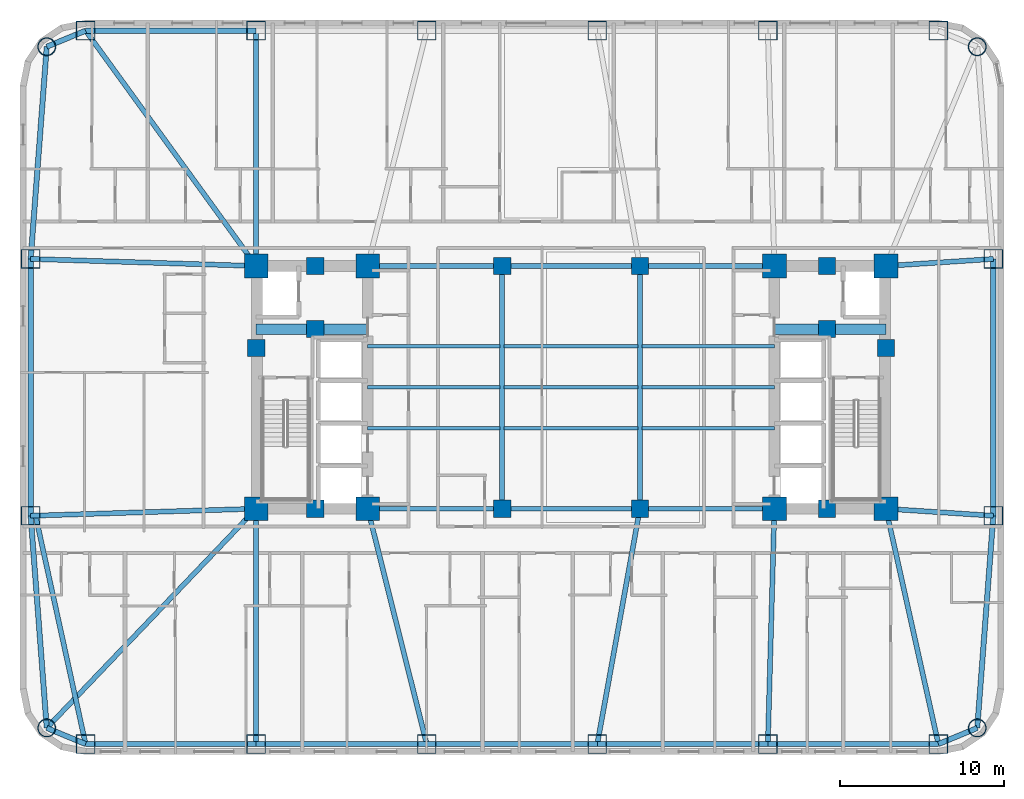
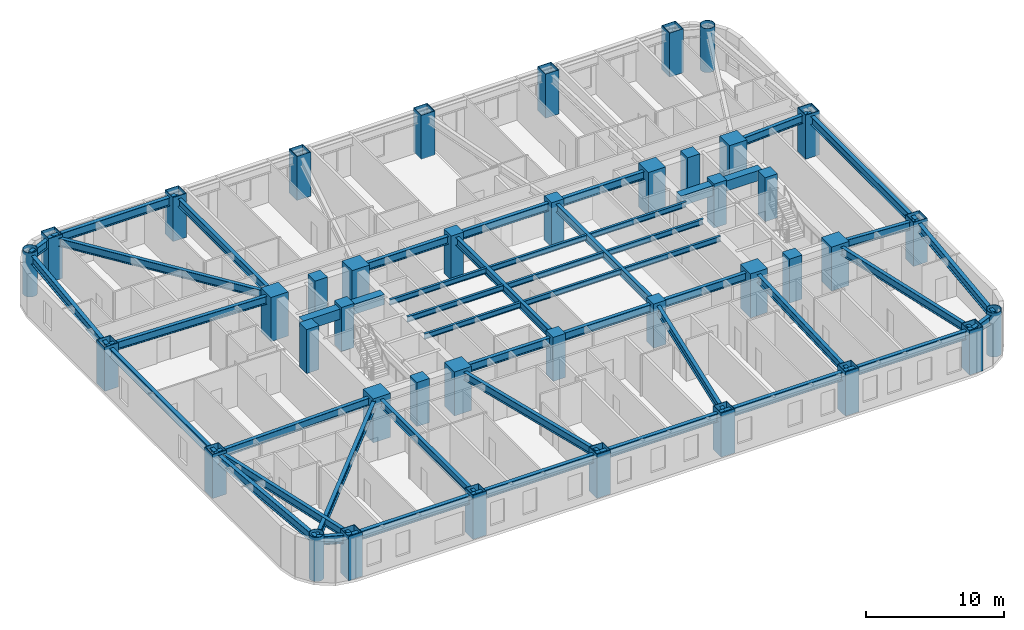
# One storey, part 1 of 12: 46 beams, 40 columns.
"""IFC4 building model written with IfcOpenShell, lengths in metres."""

from ifc_helpers import new_model, si_unit, direction, frame, origin, origin_2d, place, context, subcontext, project, spatial, rectangle, hollow_rectangle, hollow_circle, i_section, extrude, material, material_profile, profile_set, type_object, element, save


model = new_model("IFC4")

# Units and contexts
model_context = context("Model", 3, precision=1e-05, world=origin(), true_north=direction((0.0, 1.0)))
body_context = subcontext(model_context, "Body", "Model", "MODEL_VIEW")
ifc_project = project(units=[si_unit("LENGTHUNIT", "METRE"), si_unit("AREAUNIT", "SQUARE_METRE"), si_unit("VOLUMEUNIT", "CUBIC_METRE"), si_unit("PLANEANGLEUNIT", "RADIAN"), si_unit("MASSUNIT", "GRAM", prefix="KILO")], contexts=[model_context])

# Site, building, storey
site_placement = place(None, origin())
site = spatial("IfcSite", under=ifc_project, at=site_placement, CompositionType="ELEMENT")
building_placement = place(site_placement, origin())
building = spatial("IfcBuilding", under=site, at=building_placement, Name="Voryun Gate Residences", CompositionType="ELEMENT")
storey_placement = place(building_placement, frame((0.0, 0.0, 41.60009765625)))
storey = spatial("IfcBuildingStorey", under=building, at=storey_placement, Name="L09", CompositionType="ELEMENT", Elevation=41.60009765625)

# Columns
ifc_material_1 = material(Name="Concrete C50/60", Category="concrete")
ifc_material_profile_1 = material_profile(ifc_material_1, rectangle(XDim=1.050048828125, YDim=1.050048828125, at=origin_2d()), Name="RC-1050x1050")
ifc_profile_set_1 = profile_set([ifc_material_profile_1], Name="Concrete C50/60")
column_type_1 = type_object("IfcColumnType", Name="COL_CORE_1050", PredefinedType="COLUMN", material=ifc_profile_set_1)
for number, where, z_axis, x_axis, name in (
    (1, (-19.199951171875, 2.39990234375, 0.0), (0.0, 0.0, 1.0), (1.0, 0.0, 0.0), "L09 Core boundary column WC-MW"),
    (2, (-15.60009765625, -7.39990234375, 0.0), (0.0, 0.0, 1.0), (1.0, 0.0, 0.0), "L09 Core boundary column WC-SM"),
    (3, (-15.60009765625, 7.39990234375, 0.0), (0.0, 0.0, 1.0), (1.0, 0.0, 0.0), "L09 Core boundary column WC-NM"),
    (4, (-15.60009765625, 3.550048828125, 0.0), (0.0, 0.0, 1.0), (1.0, 0.0, 0.0), "L09 Core boundary column WC-MM"),
    (5, (15.60009765625, 3.550048828125, 0.0), (0.0, 0.0, 1.0), (1.0, 0.0, 0.0), "L09 Core boundary column EC-MM"),
    (6, (15.60009765625, -7.39990234375, 0.0), (0.0, 0.0, 1.0), (1.0, 0.0, 0.0), "L09 Core boundary column EC-SM"),
    (7, (15.60009765625, 7.39990234375, 0.0), (0.0, 0.0, 1.0), (1.0, 0.0, 0.0), "L09 Core boundary column EC-NM"),
    (8, (19.199951171875, 2.39990234375, 0.0), (0.0, 0.0, 1.0), (1.0, 0.0, 0.0), "L09 Core boundary column EC-ME"),
    (9, (-4.199951171875, -7.39990234375, 0.0), (0.0, 0.0, 1.0), (1.0, 0.0, 0.0), "L09 Interior spine column SP-WS"),
    (10, (-4.199951171875, 7.39990234375, 0.0), (0.0, 0.0, 1.0), (1.0, 0.0, 0.0), "L09 Interior spine column SP-WN"),
    (11, (4.199951171875, -7.39990234375, 0.0), (0.0, 0.0, 1.0), (1.0, 0.0, 0.0), "L09 Interior spine column SP-ES"),
    (12, (4.199951171875, 7.39990234375, 0.0), (0.0, 0.0, 1.0), (1.0, 0.0, 0.0), "L09 Interior spine column SP-EN"),
):
    element("IfcColumn", number, at=place(storey_placement, frame(where, z_axis=z_axis, x_axis=x_axis)), inside=storey, type_object=column_type_1, Name=name, PredefinedType="COLUMN", context=body_context, shape_type="SweptSolid", body=[
        extrude(rectangle(XDim=1.050048828125, YDim=1.050048828125, at=origin_2d()), origin(), (0.0, 0.0, 1.0), 3.89990234375),
    ])
ifc_material_2 = material(Name="Steel SM420", Category="steel")
ifc_material_profile_2 = material_profile(ifc_material_2, hollow_circle(Radius=0.550048828125, WallThickness=0.035888671875, at=origin_2d()), Name="CHS-1100x36")
ifc_profile_set_2 = profile_set([ifc_material_profile_2], Name="Steel SM420")
column_type_2 = type_object("IfcColumnType", Name="COL_CRN_1100", PredefinedType="COLUMN", material=ifc_profile_set_2)
for number, where, z_axis, x_axis, name in (
    (13, (24.768798828125, -20.768798828125, 0.0), (0.0, 0.0, 1.0), (1.0, 0.0, 0.0), "L09 Exoskeleton column CSE"),
    (14, (24.768798828125, 20.768798828125, 0.0), (0.0, 0.0, 1.0), (1.0, 0.0, 0.0), "L09 Exoskeleton column CNE"),
    (15, (-31.96875, 20.768798828125, 0.0), (0.0, 0.0, 1.0), (1.0, 0.0, 0.0), "L09 Exoskeleton column CNW"),
    (16, (-31.96875, -20.768798828125, 0.0), (0.0, 0.0, 1.0), (1.0, 0.0, 0.0), "L09 Exoskeleton column CSW"),
):
    element("IfcColumn", number, at=place(storey_placement, frame(where, z_axis=z_axis, x_axis=x_axis)), inside=storey, type_object=column_type_2, Name=name, PredefinedType="COLUMN", context=body_context, shape_type="SweptSolid", body=[
        extrude(hollow_circle(Radius=0.550048828125, WallThickness=0.035888671875, at=origin_2d()), origin(), (0.0, 0.0, 1.0), 3.89990234375),
    ])
ifc_material_3 = material(Name="Steel SM420", Category="steel")
ifc_material_profile_3 = material_profile(ifc_material_3, hollow_rectangle(XDim=1.14990234375, YDim=1.14990234375, WallThickness=0.0400390625, at=origin_2d()), Name="BOX-1150x1150x40")
ifc_profile_set_3 = profile_set([ifc_material_profile_3], Name="Steel SM420")
column_type_3 = type_object("IfcColumnType", Name="COL_EXO_B1", PredefinedType="COLUMN", material=ifc_profile_set_3)
for number, where, z_axis, x_axis, name in (
    (17, (-29.60009765625, -21.75, 0.0), (0.0, 0.0, 1.0), (1.0, 0.0, 0.0), "L09 Exoskeleton column S1"),
    (18, (-19.199951171875, -21.75, 0.0), (0.0, 0.0, 1.0), (1.0, 0.0, 0.0), "L09 Exoskeleton column S2"),
    (19, (-8.800048828125, -21.75, 0.0), (0.0, 0.0, 1.0), (1.0, 0.0, 0.0), "L09 Exoskeleton column S3"),
    (20, (1.60009765625, -21.75, 0.0), (0.0, 0.0, 1.0), (1.0, 0.0, 0.0), "L09 Exoskeleton column S4"),
    (21, (12.0, -21.75, 0.0), (0.0, 0.0, 1.0), (1.0, 0.0, 0.0), "L09 Exoskeleton column S5"),
    (22, (22.39990234375, -21.75, 0.0), (0.0, 0.0, 1.0), (1.0, 0.0, 0.0), "L09 Exoskeleton column S6"),
    (23, (25.75, -7.830078125, 0.0), (0.0, 0.0, 1.0), (1.0, 0.0, 0.0), "L09 Exoskeleton column E1"),
    (24, (25.75, 7.830078125, 0.0), (0.0, 0.0, 1.0), (1.0, 0.0, 0.0), "L09 Exoskeleton column E2"),
    (25, (22.39990234375, 21.75, 0.0), (0.0, 0.0, 1.0), (1.0, 0.0, 0.0), "L09 Exoskeleton column N1"),
    (26, (12.0, 21.75, 0.0), (0.0, 0.0, 1.0), (1.0, 0.0, 0.0), "L09 Exoskeleton column N2"),
    (27, (1.60009765625, 21.75, 0.0), (0.0, 0.0, 1.0), (1.0, 0.0, 0.0), "L09 Exoskeleton column N3"),
    (28, (-8.800048828125, 21.75, 0.0), (0.0, 0.0, 1.0), (1.0, 0.0, 0.0), "L09 Exoskeleton column N4"),
    (29, (-19.199951171875, 21.75, 0.0), (0.0, 0.0, 1.0), (1.0, 0.0, 0.0), "L09 Exoskeleton column N5"),
    (30, (-29.60009765625, 21.75, 0.0), (0.0, 0.0, 1.0), (1.0, 0.0, 0.0), "L09 Exoskeleton column N6"),
    (31, (-32.949951171875, 7.830078125, 0.0), (0.0, 0.0, 1.0), (1.0, 0.0, 0.0), "L09 Exoskeleton column W1"),
    (32, (-32.949951171875, -7.830078125, 0.0), (0.0, 0.0, 1.0), (1.0, 0.0, 0.0), "L09 Exoskeleton column W2"),
):
    element("IfcColumn", number, at=place(storey_placement, frame(where, z_axis=z_axis, x_axis=x_axis)), inside=storey, type_object=column_type_3, Name=name, PredefinedType="COLUMN", context=body_context, shape_type="SweptSolid", body=[
        extrude(hollow_rectangle(XDim=1.14990234375, YDim=1.14990234375, WallThickness=0.0400390625, at=origin_2d()), origin(), (0.0, 0.0, 1.0), 3.89990234375),
    ])
ifc_material_4 = material(Name="Concrete C60/75", Category="concrete")
ifc_material_profile_4 = material_profile(ifc_material_4, rectangle(XDim=1.449951171875, YDim=1.449951171875, at=origin_2d()), Name="RC-1450x1450")
ifc_profile_set_4 = profile_set([ifc_material_profile_4], Name="Concrete C60/75")
column_type_4 = type_object("IfcColumnType", Name="COL_MEGA_1450", PredefinedType="COLUMN", material=ifc_profile_set_4)
for number, where, z_axis, x_axis, name in (
    (33, (-19.199951171875, -7.39990234375, 0.0), (0.0, 0.0, 1.0), (1.0, 0.0, 0.0), "L09 Core boundary column WC-SW"),
    (34, (-19.199951171875, 7.39990234375, 0.0), (0.0, 0.0, 1.0), (1.0, 0.0, 0.0), "L09 Core boundary column WC-NW"),
    (35, (-12.39990234375, -7.39990234375, 0.0), (0.0, 0.0, 1.0), (1.0, 0.0, 0.0), "L09 Core boundary column WC-SE"),
    (36, (-12.39990234375, 7.39990234375, 0.0), (0.0, 0.0, 1.0), (1.0, 0.0, 0.0), "L09 Core boundary column WC-NE"),
    (37, (12.39990234375, -7.39990234375, 0.0), (0.0, 0.0, 1.0), (1.0, 0.0, 0.0), "L09 Core boundary column EC-SW"),
    (38, (12.39990234375, 7.39990234375, 0.0), (0.0, 0.0, 1.0), (1.0, 0.0, 0.0), "L09 Core boundary column EC-NW"),
    (39, (19.199951171875, -7.39990234375, 0.0), (0.0, 0.0, 1.0), (1.0, 0.0, 0.0), "L09 Core boundary column EC-SE"),
    (40, (19.199951171875, 7.39990234375, 0.0), (0.0, 0.0, 1.0), (1.0, 0.0, 0.0), "L09 Core boundary column EC-NE"),
):
    element("IfcColumn", number, at=place(storey_placement, frame(where, z_axis=z_axis, x_axis=x_axis)), inside=storey, type_object=column_type_4, Name=name, PredefinedType="COLUMN", context=body_context, shape_type="SweptSolid", body=[
        extrude(rectangle(XDim=1.449951171875, YDim=1.449951171875, at=origin_2d()), origin(), (0.0, 0.0, 1.0), 3.89990234375),
    ])

# Beams
ifc_material_5 = material(Name="Concrete C60/75", Category="concrete")
ifc_material_profile_5 = material_profile(ifc_material_5, rectangle(XDim=0.64990234375, YDim=0.89990234375, at=origin_2d()), Name="RC-650x900")
ifc_profile_set_5 = profile_set([ifc_material_profile_5], Name="Concrete C60/75")
beam_type_1 = type_object("IfcBeamType", Name="BM_COUP_RC900", PredefinedType="LINTEL", material=ifc_profile_set_5)
for number, where, z_axis, x_axis, name in (
    (41, (-19.199951171875, 3.550048828125, 3.199951171875), (1.0, 0.0, 0.0), (0.0, 1.0, 0.0), "BM-L09-WC1"),
    (42, (12.39990234375, 3.550048828125, 3.199951171875), (1.0, 0.0, 0.0), (0.0, 1.0, 0.0), "BM-L09-EC1"),
):
    element("IfcBeam", number, at=place(storey_placement, frame(where, z_axis=z_axis, x_axis=x_axis)), inside=storey, type_object=beam_type_1, Name=name, PredefinedType="LINTEL", context=body_context, shape_type="SweptSolid", body=[
        extrude(rectangle(XDim=0.64990234375, YDim=0.89990234375, at=origin_2d()), origin(), (0.0, 0.0, 1.0), 6.800048828125),
    ])
ifc_material_6 = material(Name="Steel SM355", Category="steel")
ifc_material_profile_6 = material_profile(ifc_material_6, i_section(OverallWidth=0.320068359375, OverallDepth=0.75, WebThickness=0.01611328125, FlangeThickness=0.028076171875, FilletRadius=0.01806640625, at=origin_2d()), Name="H-750x320x16x28")
ifc_profile_set_6 = profile_set([ifc_material_profile_6], Name="Steel SM355")
beam_type_2 = type_object("IfcBeamType", Name="BM_EXO_SPANDREL_L", PredefinedType="SPANDREL", material=ifc_profile_set_6)
beam_1_placement = place(storey_placement, frame((-29.60009765625, -21.75, 3.27490234375), z_axis=(1.0, 0.0, 0.0), x_axis=(0.0, 1.0, 0.0)))
element("IfcBeam", 43, at=beam_1_placement, inside=storey, type_object=beam_type_2, Name="BM-L09-SPAND-01", PredefinedType="SPANDREL", context=body_context, shape_type="SweptSolid", body=[
    extrude(i_section(OverallWidth=0.320068359375, OverallDepth=0.75, WebThickness=0.01611328125, FlangeThickness=0.028076171875, FilletRadius=0.01806640625, at=origin_2d()), origin(), (0.0, 0.0, 1.0), 10.400146484375),
])
beam_2_placement = place(storey_placement, frame((-19.199951171875, -21.75, 3.27490234375), z_axis=(1.0, 0.0, 0.0), x_axis=(0.0, 1.0, 0.0)))
element("IfcBeam", 44, at=beam_2_placement, inside=storey, type_object=beam_type_2, Name="BM-L09-SPAND-02", PredefinedType="SPANDREL", context=body_context, shape_type="SweptSolid", body=[
    extrude(i_section(OverallWidth=0.320068359375, OverallDepth=0.75, WebThickness=0.01611328125, FlangeThickness=0.028076171875, FilletRadius=0.01806640625, at=origin_2d()), origin(), (0.0, 0.0, 1.0), 10.39990234375),
])
beam_3_placement = place(storey_placement, frame((-8.800048828125, -21.75, 3.27490234375), z_axis=(1.0, 0.0, 0.0), x_axis=(0.0, 1.0, 0.0)))
element("IfcBeam", 45, at=beam_3_placement, inside=storey, type_object=beam_type_2, Name="BM-L09-SPAND-03", PredefinedType="SPANDREL", context=body_context, shape_type="SweptSolid", body=[
    extrude(i_section(OverallWidth=0.320068359375, OverallDepth=0.75, WebThickness=0.01611328125, FlangeThickness=0.028076171875, FilletRadius=0.01806640625, at=origin_2d()), origin(), (0.0, 0.0, 1.0), 10.400146484375),
])
for number, where, z_axis, x_axis, name in (
    (46, (1.60009765625, -21.75, 3.27490234375), (1.0, 0.0, 0.0), (0.0, 1.0, 0.0), "BM-L09-SPAND-04"),
    (47, (12.0, -21.75, 3.27490234375), (1.0, 0.0, 0.0), (0.0, 1.0, 0.0), "BM-L09-SPAND-05"),
):
    element("IfcBeam", number, at=place(storey_placement, frame(where, z_axis=z_axis, x_axis=x_axis)), inside=storey, type_object=beam_type_2, Name=name, PredefinedType="SPANDREL", context=body_context, shape_type="SweptSolid", body=[
        extrude(i_section(OverallWidth=0.320068359375, OverallDepth=0.75, WebThickness=0.01611328125, FlangeThickness=0.028076171875, FilletRadius=0.01806640625, at=origin_2d()), origin(), (0.0, 0.0, 1.0), 10.39990234375),
    ])
beam_4_placement = place(storey_placement, frame((22.39990234375, -21.75, 3.27490234375), z_axis=(0.923883376753, 0.382674151414, 0.0), x_axis=(-0.382674151414, 0.923883376753, 0.0)))
element("IfcBeam", 48, at=beam_4_placement, inside=storey, type_object=beam_type_2, Name="BM-L09-SPAND-06", PredefinedType="SPANDREL", context=body_context, shape_type="SweptSolid", body=[
    extrude(i_section(OverallWidth=0.320068359375, OverallDepth=0.75, WebThickness=0.01611328125, FlangeThickness=0.028076171875, FilletRadius=0.01806640625, at=origin_2d()), origin(), (0.0, 0.0, 1.0), 2.56396484375),
])
beam_5_placement = place(storey_placement, frame((24.768798828125, -20.768798828125, 3.27490234375), z_axis=(0.075617360159, 0.997136908776, 0.0), x_axis=(-0.997136908776, 0.075617360159, 0.0)))
element("IfcBeam", 49, at=beam_5_placement, inside=storey, type_object=beam_type_2, Name="BM-L09-SPAND-07", PredefinedType="SPANDREL", context=body_context, shape_type="SweptSolid", body=[
    extrude(i_section(OverallWidth=0.320068359375, OverallDepth=0.75, WebThickness=0.01611328125, FlangeThickness=0.028076171875, FilletRadius=0.01806640625, at=origin_2d()), origin(), (0.0, 0.0, 1.0), 12.975830078125),
])
beam_6_placement = place(storey_placement, frame((25.75, -7.830078125, 3.27490234375), z_axis=(0.0, 1.0, 0.0), x_axis=(-1.0, 0.0, 0.0)))
element("IfcBeam", 50, at=beam_6_placement, inside=storey, type_object=beam_type_2, Name="BM-L09-SPAND-08", PredefinedType="SPANDREL", context=body_context, shape_type="SweptSolid", body=[
    extrude(i_section(OverallWidth=0.320068359375, OverallDepth=0.75, WebThickness=0.01611328125, FlangeThickness=0.028076171875, FilletRadius=0.01806640625, at=origin_2d()), origin(), (0.0, 0.0, 1.0), 15.66015625),
])
beam_7_placement = place(storey_placement, frame((-19.199951171875, 21.75, 3.27490234375), z_axis=(-1.0, 0.0, 0.0), x_axis=(0.0, -1.0, 0.0)))
element("IfcBeam", 51, at=beam_7_placement, inside=storey, type_object=beam_type_2, Name="BM-L09-SPAND-15", PredefinedType="SPANDREL", context=body_context, shape_type="SweptSolid", body=[
    extrude(i_section(OverallWidth=0.320068359375, OverallDepth=0.75, WebThickness=0.01611328125, FlangeThickness=0.028076171875, FilletRadius=0.01806640625, at=origin_2d()), origin(), (0.0, 0.0, 1.0), 10.400146484375),
])
beam_8_placement = place(storey_placement, frame((-29.60009765625, 21.75, 3.27490234375), z_axis=(-0.92386943149, -0.382707817477, 0.0), x_axis=(0.382707817477, -0.92386943149, 0.0)))
element("IfcBeam", 52, at=beam_8_placement, inside=storey, type_object=beam_type_2, Name="BM-L09-SPAND-16", PredefinedType="SPANDREL", context=body_context, shape_type="SweptSolid", body=[
    extrude(i_section(OverallWidth=0.320068359375, OverallDepth=0.75, WebThickness=0.01611328125, FlangeThickness=0.028076171875, FilletRadius=0.01806640625, at=origin_2d()), origin(), (0.0, 0.0, 1.0), 2.563720703125),
])
beam_9_placement = place(storey_placement, frame((-31.96875, 20.768798828125, 3.27490234375), z_axis=(-0.075617360159, -0.997136908776, 0.0), x_axis=(0.997136908776, -0.075617360159, 0.0)))
element("IfcBeam", 53, at=beam_9_placement, inside=storey, type_object=beam_type_2, Name="BM-L09-SPAND-17", PredefinedType="SPANDREL", context=body_context, shape_type="SweptSolid", body=[
    extrude(i_section(OverallWidth=0.320068359375, OverallDepth=0.75, WebThickness=0.01611328125, FlangeThickness=0.028076171875, FilletRadius=0.01806640625, at=origin_2d()), origin(), (0.0, 0.0, 1.0), 12.975830078125),
])
beam_10_placement = place(storey_placement, frame((-32.949951171875, 7.830078125, 3.27490234375), z_axis=(0.0, -1.0, 0.0), x_axis=(1.0, 0.0, 0.0)))
element("IfcBeam", 54, at=beam_10_placement, inside=storey, type_object=beam_type_2, Name="BM-L09-SPAND-18", PredefinedType="SPANDREL", context=body_context, shape_type="SweptSolid", body=[
    extrude(i_section(OverallWidth=0.320068359375, OverallDepth=0.75, WebThickness=0.01611328125, FlangeThickness=0.028076171875, FilletRadius=0.01806640625, at=origin_2d()), origin(), (0.0, 0.0, 1.0), 15.66015625),
])
beam_11_placement = place(storey_placement, frame((-32.949951171875, -7.830078125, 3.27490234375), z_axis=(0.075617360159, -0.997136908776, 0.0), x_axis=(0.997136908776, 0.075617360159, 0.0)))
element("IfcBeam", 55, at=beam_11_placement, inside=storey, type_object=beam_type_2, Name="BM-L09-SPAND-19", PredefinedType="SPANDREL", context=body_context, shape_type="SweptSolid", body=[
    extrude(i_section(OverallWidth=0.320068359375, OverallDepth=0.75, WebThickness=0.01611328125, FlangeThickness=0.028076171875, FilletRadius=0.01806640625, at=origin_2d()), origin(), (0.0, 0.0, 1.0), 12.975830078125),
])
beam_12_placement = place(storey_placement, frame((-31.96875, -20.768798828125, 3.27490234375), z_axis=(0.92386943149, -0.382707817477, 0.0), x_axis=(0.382707817477, 0.92386943149, 0.0)))
element("IfcBeam", 56, at=beam_12_placement, inside=storey, type_object=beam_type_2, Name="BM-L09-SPAND-20", PredefinedType="SPANDREL", context=body_context, shape_type="SweptSolid", body=[
    extrude(i_section(OverallWidth=0.320068359375, OverallDepth=0.75, WebThickness=0.01611328125, FlangeThickness=0.028076171875, FilletRadius=0.01806640625, at=origin_2d()), origin(), (0.0, 0.0, 1.0), 2.563720703125),
])
ifc_material_7 = material(Name="Steel SM355", Category="steel")
ifc_material_profile_7 = material_profile(ifc_material_7, i_section(OverallWidth=0.300048828125, OverallDepth=0.699951171875, WebThickness=0.012939453125, FlangeThickness=0.02392578125, FilletRadius=0.01806640625, at=origin_2d()), Name="H-700x300x13x24")
ifc_profile_set_7 = profile_set([ifc_material_profile_7], Name="Steel SM355")
beam_type_3 = type_object("IfcBeamType", Name="BM_GIRD_700", PredefinedType="USERDEFINED", material=ifc_profile_set_7)
beam_13_placement = place(storey_placement, frame((-12.39990234375, -7.39990234375, 3.2998046875), z_axis=(1.0, 0.0, 0.0), x_axis=(0.0, 1.0, 0.0)))
element("IfcBeam", 57, at=beam_13_placement, inside=storey, type_object=beam_type_3, Name="BM-L09-SPG1-S", ObjectType="GIRDER", PredefinedType="USERDEFINED", context=body_context, shape_type="SweptSolid", body=[
    extrude(i_section(OverallWidth=0.300048828125, OverallDepth=0.699951171875, WebThickness=0.012939453125, FlangeThickness=0.02392578125, FilletRadius=0.01806640625, at=origin_2d()), origin(), (0.0, 0.0, 1.0), 8.199951171875),
])
beam_14_placement = place(storey_placement, frame((-4.199951171875, -7.39990234375, 3.2998046875), z_axis=(1.0, 0.0, 0.0), x_axis=(0.0, 1.0, 0.0)))
element("IfcBeam", 58, at=beam_14_placement, inside=storey, type_object=beam_type_3, Name="BM-L09-SPG2-S", ObjectType="GIRDER", PredefinedType="USERDEFINED", context=body_context, shape_type="SweptSolid", body=[
    extrude(i_section(OverallWidth=0.300048828125, OverallDepth=0.699951171875, WebThickness=0.012939453125, FlangeThickness=0.02392578125, FilletRadius=0.01806640625, at=origin_2d()), origin(), (0.0, 0.0, 1.0), 8.39990234375),
])
for number, where, z_axis, x_axis, name in (
    (59, (4.199951171875, -7.39990234375, 3.2998046875), (1.0, 0.0, 0.0), (0.0, 1.0, 0.0), "BM-L09-SPG3-S"),
    (60, (-12.39990234375, 7.39990234375, 3.2998046875), (1.0, 0.0, 0.0), (0.0, 1.0, 0.0), "BM-L09-SPG1-N"),
):
    element("IfcBeam", number, at=place(storey_placement, frame(where, z_axis=z_axis, x_axis=x_axis)), inside=storey, type_object=beam_type_3, Name=name, ObjectType="GIRDER", PredefinedType="USERDEFINED", context=body_context, shape_type="SweptSolid", body=[
        extrude(i_section(OverallWidth=0.300048828125, OverallDepth=0.699951171875, WebThickness=0.012939453125, FlangeThickness=0.02392578125, FilletRadius=0.01806640625, at=origin_2d()), origin(), (0.0, 0.0, 1.0), 8.199951171875),
    ])
beam_15_placement = place(storey_placement, frame((-4.199951171875, 7.39990234375, 3.2998046875), z_axis=(1.0, 0.0, 0.0), x_axis=(0.0, 1.0, 0.0)))
element("IfcBeam", 61, at=beam_15_placement, inside=storey, type_object=beam_type_3, Name="BM-L09-SPG2-N", ObjectType="GIRDER", PredefinedType="USERDEFINED", context=body_context, shape_type="SweptSolid", body=[
    extrude(i_section(OverallWidth=0.300048828125, OverallDepth=0.699951171875, WebThickness=0.012939453125, FlangeThickness=0.02392578125, FilletRadius=0.01806640625, at=origin_2d()), origin(), (0.0, 0.0, 1.0), 8.39990234375),
])
beam_16_placement = place(storey_placement, frame((4.199951171875, 7.39990234375, 3.2998046875), z_axis=(1.0, 0.0, 0.0), x_axis=(0.0, 1.0, 0.0)))
element("IfcBeam", 62, at=beam_16_placement, inside=storey, type_object=beam_type_3, Name="BM-L09-SPG3-N", ObjectType="GIRDER", PredefinedType="USERDEFINED", context=body_context, shape_type="SweptSolid", body=[
    extrude(i_section(OverallWidth=0.300048828125, OverallDepth=0.699951171875, WebThickness=0.012939453125, FlangeThickness=0.02392578125, FilletRadius=0.01806640625, at=origin_2d()), origin(), (0.0, 0.0, 1.0), 8.199951171875),
])
for number, where, z_axis, x_axis, name in (
    (63, (-4.199951171875, -7.39990234375, 3.2998046875), (0.0, 1.0, 0.0), (-1.0, 0.0, 0.0), "BM-L09-SPX-W"),
    (64, (4.199951171875, -7.39990234375, 3.2998046875), (0.0, 1.0, 0.0), (-1.0, 0.0, 0.0), "BM-L09-SPX-E"),
):
    element("IfcBeam", number, at=place(storey_placement, frame(where, z_axis=z_axis, x_axis=x_axis)), inside=storey, type_object=beam_type_3, Name=name, ObjectType="GIRDER", PredefinedType="USERDEFINED", context=body_context, shape_type="SweptSolid", body=[
        extrude(i_section(OverallWidth=0.300048828125, OverallDepth=0.699951171875, WebThickness=0.012939453125, FlangeThickness=0.02392578125, FilletRadius=0.01806640625, at=origin_2d()), origin(), (0.0, 0.0, 1.0), 14.7998046875),
    ])
beam_17_placement = place(storey_placement, frame((-32.64990234375, -7.830078125, 3.2998046875), z_axis=(0.214019782918, -0.976829326198, 0.0), x_axis=(0.976829326198, 0.214019782918, 0.0)))
element("IfcBeam", 65, at=beam_17_placement, inside=storey, type_object=beam_type_3, Name="BM-L09-RAD-S1", ObjectType="GIRDER", PredefinedType="USERDEFINED", context=body_context, shape_type="SweptSolid", body=[
    extrude(i_section(OverallWidth=0.300048828125, OverallDepth=0.699951171875, WebThickness=0.012939453125, FlangeThickness=0.02392578125, FilletRadius=0.01806640625, at=origin_2d()), origin(), (0.0, 0.0, 1.0), 14.25),
])
beam_18_placement = place(storey_placement, frame((-19.199951171875, -7.39990234375, 3.2998046875), z_axis=(0.0, -1.0, 0.0), x_axis=(1.0, 0.0, 0.0)))
element("IfcBeam", 66, at=beam_18_placement, inside=storey, type_object=beam_type_3, Name="BM-L09-RAD-S2", ObjectType="GIRDER", PredefinedType="USERDEFINED", context=body_context, shape_type="SweptSolid", body=[
    extrude(i_section(OverallWidth=0.300048828125, OverallDepth=0.699951171875, WebThickness=0.012939453125, FlangeThickness=0.02392578125, FilletRadius=0.01806640625, at=origin_2d()), origin(), (0.0, 0.0, 1.0), 14.35009765625),
])
beam_19_placement = place(storey_placement, frame((-12.39990234375, -7.39990234375, 3.2998046875), z_axis=(0.243319869291, -0.969946102218, 0.0), x_axis=(0.969946102218, 0.243319869291, 0.0)))
element("IfcBeam", 67, at=beam_19_placement, inside=storey, type_object=beam_type_3, Name="BM-L09-RAD-S3", ObjectType="GIRDER", PredefinedType="USERDEFINED", context=body_context, shape_type="SweptSolid", body=[
    extrude(i_section(OverallWidth=0.300048828125, OverallDepth=0.699951171875, WebThickness=0.012939453125, FlangeThickness=0.02392578125, FilletRadius=0.01806640625, at=origin_2d()), origin(), (0.0, 0.0, 1.0), 14.794677734375),
])
beam_20_placement = place(storey_placement, frame((4.199951171875, -7.39990234375, 3.2998046875), z_axis=(-0.178271088758, -0.983981411874, 0.0), x_axis=(0.983981411874, -0.178271088758, 0.0)))
element("IfcBeam", 68, at=beam_20_placement, inside=storey, type_object=beam_type_3, Name="BM-L09-RAD-S4", ObjectType="GIRDER", PredefinedType="USERDEFINED", context=body_context, shape_type="SweptSolid", body=[
    extrude(i_section(OverallWidth=0.300048828125, OverallDepth=0.699951171875, WebThickness=0.012939453125, FlangeThickness=0.02392578125, FilletRadius=0.01806640625, at=origin_2d()), origin(), (0.0, 0.0, 1.0), 14.583740234375),
])
beam_21_placement = place(storey_placement, frame((12.39990234375, -7.39990234375, 3.2998046875), z_axis=(-0.0278567548, -0.999611925305, 0.0), x_axis=(0.999611925305, -0.0278567548, 0.0)))
element("IfcBeam", 69, at=beam_21_placement, inside=storey, type_object=beam_type_3, Name="BM-L09-RAD-S5", ObjectType="GIRDER", PredefinedType="USERDEFINED", context=body_context, shape_type="SweptSolid", body=[
    extrude(i_section(OverallWidth=0.300048828125, OverallDepth=0.699951171875, WebThickness=0.012939453125, FlangeThickness=0.02392578125, FilletRadius=0.01806640625, at=origin_2d()), origin(), (0.0, 0.0, 1.0), 14.355712890625),
])
beam_22_placement = place(storey_placement, frame((19.199951171875, -7.39990234375, 3.2998046875), z_axis=(0.217645991352, -0.976027777498, 0.0), x_axis=(0.976027777498, 0.217645991352, 0.0)))
element("IfcBeam", 70, at=beam_22_placement, inside=storey, type_object=beam_type_3, Name="BM-L09-RAD-S6", ObjectType="GIRDER", PredefinedType="USERDEFINED", context=body_context, shape_type="SweptSolid", body=[
    extrude(i_section(OverallWidth=0.300048828125, OverallDepth=0.699951171875, WebThickness=0.012939453125, FlangeThickness=0.02392578125, FilletRadius=0.01806640625, at=origin_2d()), origin(), (0.0, 0.0, 1.0), 14.70263671875),
])
for number, where, z_axis, x_axis, name in (
    (71, (19.199951171875, -7.39990234375, 3.2998046875), (0.997850335415, -0.06553402255, 0.0), (0.06553402255, 0.997850335415, 0.0), "BM-L09-RAD-E1"),
    (72, (19.199951171875, 7.39990234375, 3.2998046875), (0.997850335415, 0.06553402255, 0.0), (-0.06553402255, 0.997850335415, 0.0), "BM-L09-RAD-E2"),
):
    element("IfcBeam", number, at=place(storey_placement, frame(where, z_axis=z_axis, x_axis=x_axis)), inside=storey, type_object=beam_type_3, Name=name, ObjectType="GIRDER", PredefinedType="USERDEFINED", context=body_context, shape_type="SweptSolid", body=[
        extrude(i_section(OverallWidth=0.300048828125, OverallDepth=0.699951171875, WebThickness=0.012939453125, FlangeThickness=0.02392578125, FilletRadius=0.01806640625, at=origin_2d()), origin(), (0.0, 0.0, 1.0), 6.564208984375),
    ])
beam_23_placement = place(storey_placement, frame((-19.199951171875, 7.39990234375, 3.2998046875), z_axis=(0.0, 1.0, 0.0), x_axis=(-1.0, 0.0, 0.0)))
element("IfcBeam", 73, at=beam_23_placement, inside=storey, type_object=beam_type_3, Name="BM-L09-RAD-N5", ObjectType="GIRDER", PredefinedType="USERDEFINED", context=body_context, shape_type="SweptSolid", body=[
    extrude(i_section(OverallWidth=0.300048828125, OverallDepth=0.699951171875, WebThickness=0.012939453125, FlangeThickness=0.02392578125, FilletRadius=0.01806640625, at=origin_2d()), origin(), (0.0, 0.0, 1.0), 14.35009765625),
])
beam_24_placement = place(storey_placement, frame((-19.199951171875, 7.39990234375, 3.2998046875), z_axis=(-0.586831668391, 0.80970895572, 0.0), x_axis=(-0.80970895572, -0.586831668391, 0.0)))
element("IfcBeam", 74, at=beam_24_placement, inside=storey, type_object=beam_type_3, Name="BM-L09-RAD-N6", ObjectType="GIRDER", PredefinedType="USERDEFINED", context=body_context, shape_type="SweptSolid", body=[
    extrude(i_section(OverallWidth=0.300048828125, OverallDepth=0.699951171875, WebThickness=0.012939453125, FlangeThickness=0.02392578125, FilletRadius=0.01806640625, at=origin_2d()), origin(), (0.0, 0.0, 1.0), 17.72265625),
])
for number, where, z_axis, x_axis, name in (
    (75, (-19.199951171875, 7.39990234375, 3.2998046875), (-0.999510967353, 0.031270211727, 0.0), (-0.031270211727, -0.999510967353, 0.0), "BM-L09-RAD-W1"),
    (76, (-19.199951171875, -7.39990234375, 3.2998046875), (-0.999510967353, -0.031270211727, 0.0), (0.031270211727, -0.999510967353, 0.0), "BM-L09-RAD-W2"),
):
    element("IfcBeam", number, at=place(storey_placement, frame(where, z_axis=z_axis, x_axis=x_axis)), inside=storey, type_object=beam_type_3, Name=name, ObjectType="GIRDER", PredefinedType="USERDEFINED", context=body_context, shape_type="SweptSolid", body=[
        extrude(i_section(OverallWidth=0.300048828125, OverallDepth=0.699951171875, WebThickness=0.012939453125, FlangeThickness=0.02392578125, FilletRadius=0.01806640625, at=origin_2d()), origin(), (0.0, 0.0, 1.0), 13.7568359375),
    ])
beam_25_placement = place(storey_placement, frame((-19.199951171875, -7.39990234375, 3.2998046875), z_axis=(-0.69069023987, -0.723150739852, 0.0), x_axis=(0.723150739852, -0.69069023987, 0.0)))
element("IfcBeam", 77, at=beam_25_placement, inside=storey, type_object=beam_type_3, Name="BM-L09-RAD-CSW", ObjectType="GIRDER", PredefinedType="USERDEFINED", context=body_context, shape_type="SweptSolid", body=[
    extrude(i_section(OverallWidth=0.300048828125, OverallDepth=0.699951171875, WebThickness=0.012939453125, FlangeThickness=0.02392578125, FilletRadius=0.01806640625, at=origin_2d()), origin(), (0.0, 0.0, 1.0), 18.487060546875),
])
ifc_material_8 = material(Name="Steel SM355", Category="steel")
ifc_material_profile_8 = material_profile(ifc_material_8, i_section(OverallWidth=0.199951171875, OverallDepth=0.47998046875, WebThickness=0.010009765625, FlangeThickness=0.01806640625, FilletRadius=0.01806640625, at=origin_2d()), Name="H-480x200x10x18")
ifc_profile_set_8 = profile_set([ifc_material_profile_8], Name="Steel SM355")
beam_type_4 = type_object("IfcBeamType", Name="BM_SEC_480", PredefinedType="BEAM", material=ifc_profile_set_8)
beam_26_placement = place(storey_placement, frame((-12.39990234375, -2.5, 3.409912109375), z_axis=(1.0, 0.0, 0.0), x_axis=(0.0, 1.0, 0.0)))
element("IfcBeam", 78, at=beam_26_placement, inside=storey, type_object=beam_type_4, Name="BM-L09-SEC-CS1", PredefinedType="BEAM", context=body_context, shape_type="SweptSolid", body=[
    extrude(i_section(OverallWidth=0.199951171875, OverallDepth=0.47998046875, WebThickness=0.010009765625, FlangeThickness=0.01806640625, FilletRadius=0.01806640625, at=origin_2d()), origin(), (0.0, 0.0, 1.0), 8.074951171875),
])
beam_27_placement = place(storey_placement, frame((-4.074951171875, -2.5, 3.409912109375), z_axis=(1.0, 0.0, 0.0), x_axis=(0.0, 1.0, 0.0)))
element("IfcBeam", 79, at=beam_27_placement, inside=storey, type_object=beam_type_4, Name="BM-L09-SEC-CS2", PredefinedType="BEAM", context=body_context, shape_type="SweptSolid", body=[
    extrude(i_section(OverallWidth=0.199951171875, OverallDepth=0.47998046875, WebThickness=0.010009765625, FlangeThickness=0.01806640625, FilletRadius=0.01806640625, at=origin_2d()), origin(), (0.0, 0.0, 1.0), 8.14990234375),
])
for number, where, z_axis, x_axis, name in (
    (80, (4.324951171875, -2.5, 3.409912109375), (1.0, 0.0, 0.0), (0.0, 1.0, 0.0), "BM-L09-SEC-CS3"),
    (81, (-12.39990234375, 0.0, 3.409912109375), (1.0, 0.0, 0.0), (0.0, 1.0, 0.0), "BM-L09-SEC-CM1"),
):
    element("IfcBeam", number, at=place(storey_placement, frame(where, z_axis=z_axis, x_axis=x_axis)), inside=storey, type_object=beam_type_4, Name=name, PredefinedType="BEAM", context=body_context, shape_type="SweptSolid", body=[
        extrude(i_section(OverallWidth=0.199951171875, OverallDepth=0.47998046875, WebThickness=0.010009765625, FlangeThickness=0.01806640625, FilletRadius=0.01806640625, at=origin_2d()), origin(), (0.0, 0.0, 1.0), 8.074951171875),
    ])
beam_28_placement = place(storey_placement, frame((-4.074951171875, 0.0, 3.409912109375), z_axis=(1.0, 0.0, 0.0), x_axis=(0.0, 1.0, 0.0)))
element("IfcBeam", 82, at=beam_28_placement, inside=storey, type_object=beam_type_4, Name="BM-L09-SEC-CM2", PredefinedType="BEAM", context=body_context, shape_type="SweptSolid", body=[
    extrude(i_section(OverallWidth=0.199951171875, OverallDepth=0.47998046875, WebThickness=0.010009765625, FlangeThickness=0.01806640625, FilletRadius=0.01806640625, at=origin_2d()), origin(), (0.0, 0.0, 1.0), 8.14990234375),
])
for number, where, z_axis, x_axis, name in (
    (83, (4.324951171875, 0.0, 3.409912109375), (1.0, 0.0, 0.0), (0.0, 1.0, 0.0), "BM-L09-SEC-CM3"),
    (84, (-12.39990234375, 2.5, 3.409912109375), (1.0, 0.0, 0.0), (0.0, 1.0, 0.0), "BM-L09-SEC-CN1"),
):
    element("IfcBeam", number, at=place(storey_placement, frame(where, z_axis=z_axis, x_axis=x_axis)), inside=storey, type_object=beam_type_4, Name=name, PredefinedType="BEAM", context=body_context, shape_type="SweptSolid", body=[
        extrude(i_section(OverallWidth=0.199951171875, OverallDepth=0.47998046875, WebThickness=0.010009765625, FlangeThickness=0.01806640625, FilletRadius=0.01806640625, at=origin_2d()), origin(), (0.0, 0.0, 1.0), 8.074951171875),
    ])
beam_29_placement = place(storey_placement, frame((-4.074951171875, 2.5, 3.409912109375), z_axis=(1.0, 0.0, 0.0), x_axis=(0.0, 1.0, 0.0)))
element("IfcBeam", 85, at=beam_29_placement, inside=storey, type_object=beam_type_4, Name="BM-L09-SEC-CN2", PredefinedType="BEAM", context=body_context, shape_type="SweptSolid", body=[
    extrude(i_section(OverallWidth=0.199951171875, OverallDepth=0.47998046875, WebThickness=0.010009765625, FlangeThickness=0.01806640625, FilletRadius=0.01806640625, at=origin_2d()), origin(), (0.0, 0.0, 1.0), 8.14990234375),
])
beam_30_placement = place(storey_placement, frame((4.324951171875, 2.5, 3.409912109375), z_axis=(1.0, 0.0, 0.0), x_axis=(0.0, 1.0, 0.0)))
element("IfcBeam", 86, at=beam_30_placement, inside=storey, type_object=beam_type_4, Name="BM-L09-SEC-CN3", PredefinedType="BEAM", context=body_context, shape_type="SweptSolid", body=[
    extrude(i_section(OverallWidth=0.199951171875, OverallDepth=0.47998046875, WebThickness=0.010009765625, FlangeThickness=0.01806640625, FilletRadius=0.01806640625, at=origin_2d()), origin(), (0.0, 0.0, 1.0), 8.074951171875),
])

save(model, "model.ifc")
